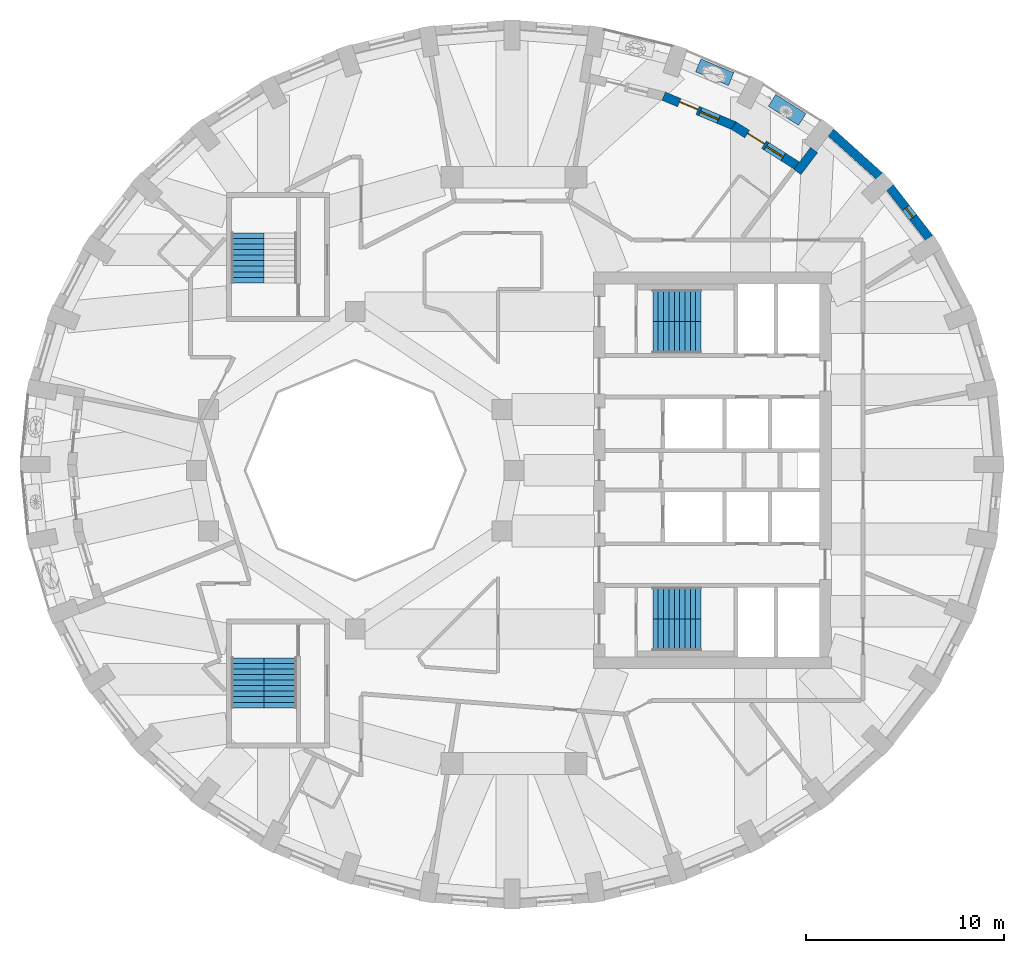
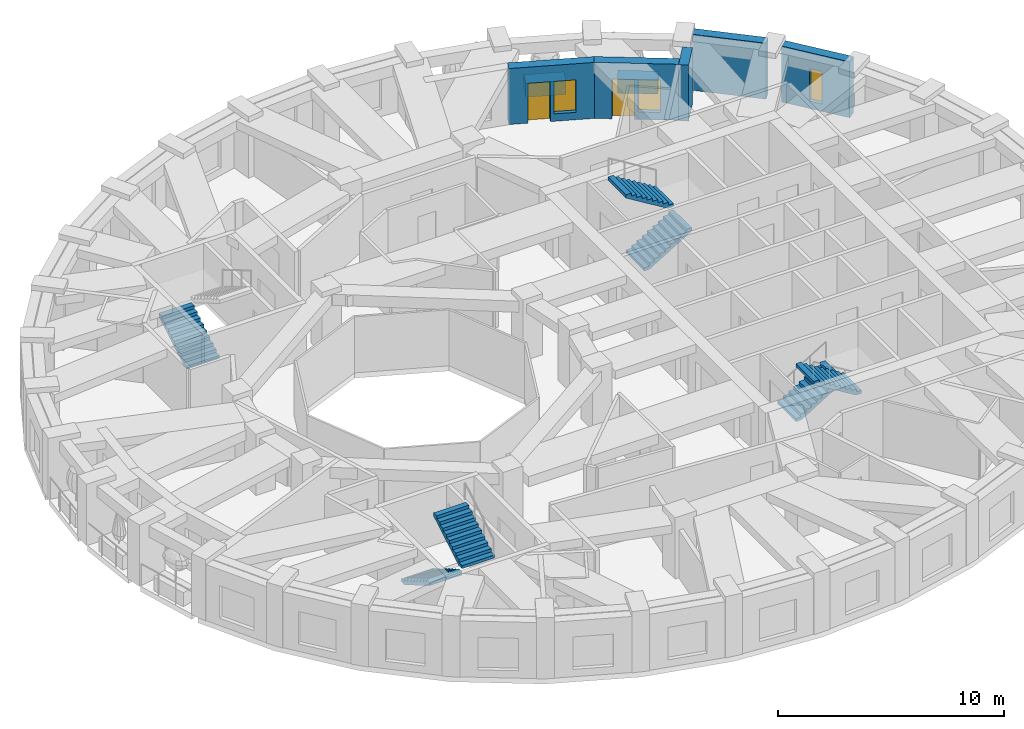
# One storey, part 8 of 12: 7 stair flights, 7 walls, 3 windows, 2 doors, 5 openings, 4 elements without a shape of their own.
"""IFC4 building model written with IfcOpenShell, lengths in metres."""

from ifc_helpers import new_model, si_unit, direction, frame, frame_2d, origin, place, context, subcontext, project, spatial, polyline, rectangle, outline, extrude, material, layer, layer_set, constituent, constituent_set, type_object, element, fill, aggregate, save


model = new_model("IFC4")

# Units and contexts
model_context = context("Model", 3, precision=1e-05, world=origin(), true_north=direction((0.0, 1.0)))
body_context = subcontext(model_context, "Body", "Model", "MODEL_VIEW")
ifc_project = project(units=[si_unit("LENGTHUNIT", "METRE"), si_unit("AREAUNIT", "SQUARE_METRE"), si_unit("VOLUMEUNIT", "CUBIC_METRE"), si_unit("PLANEANGLEUNIT", "RADIAN"), si_unit("MASSUNIT", "GRAM", prefix="KILO")], contexts=[model_context])

# Site, building, storey
site_placement = place(None, origin())
site = spatial("IfcSite", under=ifc_project, at=site_placement, CompositionType="ELEMENT")
building_placement = place(site_placement, origin())
building = spatial("IfcBuilding", under=site, at=building_placement, Name="Taillehof Tower", CompositionType="ELEMENT")
storey_placement = place(building_placement, frame((0.0, 0.0, 233.300048828125)))
storey = spatial("IfcBuildingStorey", under=building, at=storey_placement, Name="L66", CompositionType="ELEMENT", Elevation=233.300048828125)

# Wall, opening, window
ifc_material_1 = material(Name="Brick masonry", Category="masonry")
ifc_layer = layer(ifc_material_1, 0.449951171875)
ifc_layer_set = layer_set([ifc_layer], Name="Brick infill wall 450")
wall_type_1 = type_object("IfcWallType", Name="Brick infill wall 450", PredefinedType="SOLIDWALL", material=ifc_layer_set)
wall_1_placement = place(storey_placement, frame((20.93505859375, 11.70849609375, 0.0), z_axis=(0.0, 0.0, 1.0), x_axis=(-0.613862536705, 0.789412937587, 0.0)))
wall_1 = element("IfcWall", 1, at=wall_1_placement, inside=storey, type_object=wall_type_1, Name="Brick wall L66 bay 4", PredefinedType="SOLIDWALL", context=body_context, shape_type="SweptSolid", body=[
    extrude(rectangle(XDim=3.247314453125, YDim=0.449951171875, at=frame_2d((1.62353515625, 0.0))), origin(), (0.0, 0.0, 1.0), 3.02001953125),
])
opening_1_placement = place(wall_1_placement, frame((1.32373046875, 0.0, 0.39990234375)))
opening_1 = element("IfcOpeningElement", 2, at=opening_1_placement, cuts=wall_1, Name="Opening W6", PredefinedType="OPENING", context=body_context, shape_type="SweptSolid", body=[
    extrude(rectangle(XDim=0.60009765625, YDim=1.75, at=frame_2d((0.300048828125, 0.875))), frame((0.0, 0.23486328125, 0.0), z_axis=(0.0, -1.0, 0.0), x_axis=(1.0, 0.0, 0.0)), (0.0, 0.0, 1.0), 0.469970703125),
])
ifc_material_2 = material(Name="Aluminium window frame with clear double glazing", Category="aluminium")
window_type_1 = type_object("IfcWindowType", Name="Slot window 600x1750", PartitioningType="SINGLE_PANEL", PredefinedType="WINDOW", material=ifc_material_2)
window_1_placement = place(opening_1_placement, origin())
window_1 = element("IfcWindow", 3, at=window_1_placement, inside=storey, type_object=window_type_1, Name="W6", OverallHeight=1.75, OverallWidth=0.60009765625, PartitioningType="SINGLE_PANEL", PredefinedType="WINDOW", context=body_context, shape_type="SweptSolid", body=[
    extrude(rectangle(XDim=0.60009765625, YDim=1.75, at=frame_2d((0.300048828125, 0.875))), frame((0.0, 0.034912109375, 0.0), z_axis=(0.0, -1.0, 0.0), x_axis=(1.0, 0.0, 0.0)), (0.0, 0.0, 1.0), 0.06005859375),
])
fill(opening_1, window_1)

# Walls
wall_2_placement = place(storey_placement, frame((18.423828125, 14.828369140625, 0.0), z_axis=(0.0, 0.0, 1.0), x_axis=(-0.743166014219, 0.669107073128, 0.0)))
element("IfcWall", 4, at=wall_2_placement, inside=storey, type_object=wall_type_1, Name="Brick wall L66 bay 5", PredefinedType="SOLIDWALL", context=body_context, shape_type="SweptSolid", body=[
    extrude(rectangle(XDim=3.31640625, YDim=0.449951171875, at=frame_2d((1.658203125, 0.0))), origin(), (0.0, 0.0, 1.0), 3.02001953125),
])
wall_3_placement = place(storey_placement, frame((15.126953125, 16.144775390625, 0.0), z_axis=(0.0, 0.0, 1.0), x_axis=(-0.603952302908, -0.797020461351, 0.0)))
element("IfcWall", 5, at=wall_3_placement, inside=storey, type_object=wall_type_1, Name="Brick reveal L66 pocket 1", PredefinedType="SOLIDWALL", context=body_context, shape_type="SweptSolid", body=[
    extrude(rectangle(XDim=1.390869140625, YDim=0.449951171875, at=frame_2d((0.6953125, 0.0))), origin(), (0.0, 0.0, 1.0), 3.02001953125),
])

# Wall, openings, door, window
wall_4_placement = place(storey_placement, frame((14.255126953125, 15.36669921875, 0.0), z_axis=(0.0, 0.0, 1.0), x_axis=(-0.845183955488, 0.534475519912, 0.0)))
wall_4 = element("IfcWall", 6, at=wall_4_placement, inside=storey, type_object=wall_type_1, Name="Brick wall L66 pocket bay 6", PredefinedType="SOLIDWALL", context=body_context, shape_type="SweptSolid", body=[
    extrude(rectangle(XDim=3.7685546875, YDim=0.449951171875, at=frame_2d((1.88427734375, 0.0))), origin(), (0.0, 0.0, 1.0), 3.02001953125),
])
opening_2_placement = place(wall_4_placement, frame((0.809326171875, 0.0, 0.39990234375)))
opening_2 = element("IfcOpeningElement", 7, at=opening_2_placement, cuts=wall_4, Name="Opening W5", PredefinedType="OPENING", context=body_context, shape_type="SweptSolid", body=[
    extrude(rectangle(XDim=1.0, YDim=1.75, at=frame_2d((0.5, 0.875))), frame((0.0, 0.23486328125, 0.0), z_axis=(0.0, -1.0, 0.0), x_axis=(1.0, 0.0, 0.0)), (0.0, 0.0, 1.0), 0.469970703125),
])
opening_3_placement = place(wall_4_placement, frame((1.959228515625, 0.0, 0.0)))
opening_3 = element("IfcOpeningElement", 8, at=opening_3_placement, cuts=wall_4, Name="Opening D6694", PredefinedType="OPENING", context=body_context, shape_type="SweptSolid", body=[
    extrude(rectangle(XDim=1.0, YDim=2.14990234375, at=frame_2d((0.5, 1.074951171875))), frame((0.0, 0.23486328125, 0.0), z_axis=(0.0, -1.0, 0.0), x_axis=(1.0, 0.0, 0.0)), (0.0, 0.0, 1.0), 0.469970703125),
])
ifc_material_3 = material(Name="Aluminium door frame with clear double glazing", Category="aluminium")
door_type = type_object("IfcDoorType", Name="Balcony door 1000x2150", OperationType="SINGLE_SWING_RIGHT", PredefinedType="DOOR", material=ifc_material_3)
door_1_placement = place(opening_3_placement, frame((1.0, 0.0, 0.0), z_axis=(0.0, 0.0, 1.0), x_axis=(-1.0, 0.0, 0.0)))
door_1 = element("IfcDoor", 9, at=door_1_placement, inside=storey, type_object=door_type, Name="Balcony door L66 bay 6", OperationType="SINGLE_SWING_RIGHT", OverallHeight=2.14990234375, OverallWidth=1.0, PredefinedType="DOOR", context=body_context, shape_type="SweptSolid", body=[
    extrude(rectangle(XDim=1.0, YDim=2.14990234375, at=frame_2d((0.5, 1.074951171875))), frame((0.0, 0.0751953125, 0.0), z_axis=(0.0, -1.0, 0.0), x_axis=(1.0, 0.0, 0.0)), (0.0, 0.0, 1.0), 0.050048828125),
])
fill(opening_3, door_1)
ifc_material_4 = material(Name="Aluminium window frame with clear double glazing", Category="aluminium")
window_type_2 = type_object("IfcWindowType", Name="Fixed window 1000x1750", PartitioningType="SINGLE_PANEL", PredefinedType="WINDOW", material=ifc_material_4)
window_2_placement = place(opening_2_placement, origin())
window_2 = element("IfcWindow", 10, at=window_2_placement, inside=storey, type_object=window_type_2, Name="W5", OverallHeight=1.75, OverallWidth=1.0, PartitioningType="SINGLE_PANEL", PredefinedType="WINDOW", context=body_context, shape_type="SweptSolid", body=[
    extrude(rectangle(XDim=1.0, YDim=1.75, at=frame_2d((0.5, 0.875))), frame((0.0, 0.034912109375, 0.0), z_axis=(0.0, -1.0, 0.0), x_axis=(1.0, 0.0, 0.0)), (0.0, 0.0, 1.0), 0.06005859375),
])
fill(opening_2, window_2)

wall_5_placement = place(storey_placement, frame((11.10302734375, 17.363525390625, 0.0), z_axis=(0.0, 0.0, 1.0), x_axis=(-0.921612755574, 0.388110717145, 0.0)))
wall_5 = element("IfcWall", 11, at=wall_5_placement, inside=storey, type_object=wall_type_1, Name="Brick wall L66 pocket bay 7", PredefinedType="SOLIDWALL", context=body_context, shape_type="SweptSolid", body=[
    extrude(rectangle(XDim=3.8603515625, YDim=0.449951171875, at=frame_2d((1.93017578125, 0.0))), origin(), (0.0, 0.0, 1.0), 3.02001953125),
])
opening_4_placement = place(wall_5_placement, frame((0.855224609375, 0.0, 0.39990234375)))
opening_4 = element("IfcOpeningElement", 12, at=opening_4_placement, cuts=wall_5, Name="Opening W5", PredefinedType="OPENING", context=body_context, shape_type="SweptSolid", body=[
    extrude(rectangle(XDim=1.0, YDim=1.75, at=frame_2d((0.5, 0.875))), frame((0.0, 0.23486328125, 0.0), z_axis=(0.0, -1.0, 0.0), x_axis=(1.0, 0.0, 0.0)), (0.0, 0.0, 1.0), 0.469970703125),
])
opening_5_placement = place(wall_5_placement, frame((2.005126953125, 0.0, 0.0)))
opening_5 = element("IfcOpeningElement", 13, at=opening_5_placement, cuts=wall_5, Name="Opening D6695", PredefinedType="OPENING", context=body_context, shape_type="SweptSolid", body=[
    extrude(rectangle(XDim=1.0, YDim=2.14990234375, at=frame_2d((0.5, 1.074951171875))), frame((0.0, 0.23486328125, 0.0), z_axis=(0.0, -1.0, 0.0), x_axis=(1.0, 0.0, 0.0)), (0.0, 0.0, 1.0), 0.469970703125),
])
door_2_placement = place(opening_5_placement, frame((1.0, 0.0, 0.0), z_axis=(0.0, 0.0, 1.0), x_axis=(-1.0, 0.0, 0.0)))
door_2 = element("IfcDoor", 14, at=door_2_placement, inside=storey, type_object=door_type, Name="Balcony door L66 bay 7", OperationType="SINGLE_SWING_LEFT", OverallHeight=2.14990234375, OverallWidth=1.0, PredefinedType="DOOR", context=body_context, shape_type="SweptSolid", body=[
    extrude(rectangle(XDim=1.0, YDim=2.14990234375, at=frame_2d((0.5, 1.074951171875))), frame((0.0, 0.0751953125, 0.0), z_axis=(0.0, -1.0, 0.0), x_axis=(1.0, 0.0, 0.0)), (0.0, 0.0, 1.0), 0.050048828125),
])
fill(opening_5, door_2)
window_3_placement = place(opening_4_placement, origin())
window_3 = element("IfcWindow", 15, at=window_3_placement, inside=storey, type_object=window_type_2, Name="W5", OverallHeight=1.75, OverallWidth=1.0, PartitioningType="SINGLE_PANEL", PredefinedType="WINDOW", context=body_context, shape_type="SweptSolid", body=[
    extrude(rectangle(XDim=1.0, YDim=1.75, at=frame_2d((0.5, 0.875))), frame((0.0, 0.034912109375, 0.0), z_axis=(0.0, -1.0, 0.0), x_axis=(1.0, 0.0, 0.0)), (0.0, 0.0, 1.0), 0.06005859375),
])
fill(opening_4, window_3)

# Walls
ifc_material_5 = material(Name="Concrete C30/37 precast", Category="concrete")
ifc_constituent_1 = constituent(ifc_material_5, Name="Structure", Category="concrete")
ifc_material_6 = material(Name="Insulated lining")
ifc_constituent_2 = constituent(ifc_material_6, Name="Lining")
ifc_constituent_set = constituent_set(constituents=[ifc_constituent_1, ifc_constituent_2], Name="Planter trough 700x750")
wall_type_2 = type_object("IfcWallType", Name="Planter trough 700x750", PredefinedType="USERDEFINED", material=ifc_constituent_set)
wall_6_placement = place(storey_placement, frame((14.531005859375, 17.687255859375, 0.0), z_axis=(0.0, 0.0, 1.0), x_axis=(-0.845888351787, 0.533360006291, 0.0)))
element("IfcWall", 16, at=wall_6_placement, inside=storey, type_object=wall_type_2, Name="Planter L66 bay 6", ObjectType="PLANTER", PredefinedType="USERDEFINED", context=body_context, shape_type="SweptSolid", body=[
    extrude(rectangle(XDim=1.7998046875, YDim=0.699951171875, at=frame_2d((0.89990234375, 0.0))), origin(), (0.0, 0.0, 1.0), 0.75),
])
wall_7_placement = place(storey_placement, frame((10.947998046875, 19.717041015625, 0.0), z_axis=(0.0, 0.0, 1.0), x_axis=(-0.922038267928, 0.387098737374, 0.0)))
element("IfcWall", 17, at=wall_7_placement, inside=storey, type_object=wall_type_2, Name="Planter L66 bay 7", ObjectType="PLANTER", PredefinedType="USERDEFINED", context=body_context, shape_type="SweptSolid", body=[
    extrude(rectangle(XDim=1.800048828125, YDim=0.699951171875, at=frame_2d((0.89990234375, 0.0))), origin(), (0.0, 0.0, 1.0), 0.75),
])

# Stair, stair flights
ifc_material_7 = material(Name="Concrete C40/50", Category="concrete")
stair_type = type_object("IfcStairType", Name="Exit stair half-turn", PredefinedType="HALF_TURN_STAIR", material=ifc_material_7)
stair_1_placement = place(storey_placement, origin())
stair_1 = element("IfcStair", 18, at=stair_1_placement, inside=storey, type_object=stair_type, Name="Exit stair S1", PredefinedType="HALF_TURN_STAIR")
ifc_material_8 = material(Name="Concrete C40/50", Category="concrete")
stair_flight_type_1 = type_object("IfcStairFlightType", Name="Stair flight 1600 riser 165.0 going 270", PredefinedType="STRAIGHT", material=ifc_material_8)
stair_flight_1_placement = place(storey_placement, frame((7.0, 6.699951171875, 0.0), z_axis=(0.0, 0.0, 1.0), x_axis=(1.0, 0.0, 0.0)))
stair_flight_1 = element("IfcStairFlight", 19, at=stair_flight_1_placement, type_object=stair_flight_type_1, Name="S1 flight 1", NumberOfRisers=10, NumberOfTreads=9, PredefinedType="STRAIGHT", RiserHeight=0.165, TreadLength=0.27, context=body_context, shape_type="SweptSolid", body=[
    extrude(outline(polyline([(0.0, 0.0), (0.0, 0.00537109375), (0.0, 0.0107421875), (0.0, 0.015869140625), (0.0, 0.021240234375), (0.0, 0.026611328125), (0.0, 0.031982421875), (0.0, 0.037353515625), (0.0, 0.04248046875), (0.0, 0.0478515625), (0.0, 0.05322265625), (0.0, 0.05859375), (0.0, 0.06396484375), (0.0, 0.069091796875), (0.0, 0.074462890625), (0.0, 0.079833984375), (0.0, 0.085205078125), (0.0, 0.090576171875), (0.0, 0.095703125), (0.0, 0.10107421875), (0.0, 0.1064453125), (0.0, 0.11181640625), (0.0, 0.1171875), (0.0, 0.122314453125), (0.0, 0.127685546875), (0.0, 0.133056640625), (0.0, 0.138427734375), (0.0, 0.143798828125), (0.0, 0.14892578125), (0.0, 0.154296875), (0.0, 0.15966796875), (0.0, 0.1650390625), (0.27001953125, 0.1650390625), (0.27001953125, 0.330078125), (0.5400390625, 0.330078125), (0.5400390625, 0.4951171875), (0.81005859375, 0.4951171875), (0.81005859375, 0.659912109375), (1.080078125, 0.659912109375), (1.080078125, 0.824951171875), (1.35009765625, 0.824951171875), (1.35009765625, 0.989990234375), (1.6201171875, 0.989990234375), (1.6201171875, 1.155029296875), (1.889892578125, 1.155029296875), (1.889892578125, 1.320068359375), (2.159912109375, 1.320068359375), (2.159912109375, 1.485107421875), (2.429931640625, 1.485107421875), (2.429931640625, 1.479248046875), (2.429931640625, 1.4736328125), (2.429931640625, 1.468017578125), (2.429931640625, 1.46240234375), (2.429931640625, 1.45654296875), (2.429931640625, 1.450927734375), (2.429931640625, 1.4453125), (2.429931640625, 1.439697265625), (2.429931640625, 1.43408203125), (2.429931640625, 1.42822265625), (2.429931640625, 1.422607421875), (2.429931640625, 1.4169921875), (2.429931640625, 1.411376953125), (2.429931640625, 1.40576171875), (2.429931640625, 1.39990234375), (2.429931640625, 1.394287109375), (2.429931640625, 1.388671875), (2.429931640625, 1.383056640625), (2.429931640625, 1.37744140625), (2.429931640625, 1.37158203125), (2.429931640625, 1.365966796875), (2.429931640625, 1.3603515625), (2.429931640625, 1.354736328125), (2.429931640625, 1.348876953125), (2.429931640625, 1.34326171875), (2.429931640625, 1.337646484375), (2.429931640625, 1.33203125), (2.429931640625, 1.326416015625), (2.429931640625, 1.320556640625), (2.429931640625, 1.31494140625), (2.429931640625, 1.309326171875), (0.287353515625, 0.0), (0.0, 0.0)])), frame((0.0, 0.800048828125, 0.0), z_axis=(0.0, -1.0, 0.0), x_axis=(1.0, 0.0, 0.0)), (0.0, 0.0, 1.0), 1.6),
])
stair_flight_2_placement = place(storey_placement, frame((9.429931640625, 8.300048828125, 1.64990234375), z_axis=(0.0, 0.0, 1.0), x_axis=(-1.0, 0.0, 0.0)))
stair_flight_2 = element("IfcStairFlight", 20, at=stair_flight_2_placement, type_object=stair_flight_type_1, Name="S1 flight 2", NumberOfRisers=10, NumberOfTreads=9, PredefinedType="STRAIGHT", RiserHeight=0.165, TreadLength=0.27, context=body_context, shape_type="SweptSolid", body=[
    extrude(outline(polyline([(0.0, 0.0), (0.0, 0.00537109375), (0.0, 0.0107421875), (0.0, 0.015869140625), (0.0, 0.021240234375), (0.0, 0.026611328125), (0.0, 0.031982421875), (0.0, 0.037353515625), (0.0, 0.04248046875), (0.0, 0.0478515625), (0.0, 0.05322265625), (0.0, 0.05859375), (0.0, 0.06396484375), (0.0, 0.069091796875), (0.0, 0.074462890625), (0.0, 0.079833984375), (0.0, 0.085205078125), (0.0, 0.090576171875), (0.0, 0.095703125), (0.0, 0.10107421875), (0.0, 0.1064453125), (0.0, 0.11181640625), (0.0, 0.1171875), (0.0, 0.122314453125), (0.0, 0.127685546875), (0.0, 0.133056640625), (0.0, 0.138427734375), (0.0, 0.143798828125), (0.0, 0.14892578125), (0.0, 0.154296875), (0.0, 0.15966796875), (0.0, 0.1650390625), (0.27001953125, 0.1650390625), (0.27001953125, 0.330078125), (0.5400390625, 0.330078125), (0.5400390625, 0.4951171875), (0.81005859375, 0.4951171875), (0.81005859375, 0.659912109375), (1.080078125, 0.659912109375), (1.080078125, 0.824951171875), (1.35009765625, 0.824951171875), (1.35009765625, 0.989990234375), (1.6201171875, 0.989990234375), (1.6201171875, 1.155029296875), (1.889892578125, 1.155029296875), (1.889892578125, 1.320068359375), (2.159912109375, 1.320068359375), (2.159912109375, 1.485107421875), (2.429931640625, 1.485107421875), (2.429931640625, 1.479248046875), (2.429931640625, 1.4736328125), (2.429931640625, 1.468017578125), (2.429931640625, 1.46240234375), (2.429931640625, 1.45654296875), (2.429931640625, 1.450927734375), (2.429931640625, 1.4453125), (2.429931640625, 1.439697265625), (2.429931640625, 1.43408203125), (2.429931640625, 1.42822265625), (2.429931640625, 1.422607421875), (2.429931640625, 1.4169921875), (2.429931640625, 1.411376953125), (2.429931640625, 1.40576171875), (2.429931640625, 1.39990234375), (2.429931640625, 1.394287109375), (2.429931640625, 1.388671875), (2.429931640625, 1.383056640625), (2.429931640625, 1.37744140625), (2.429931640625, 1.37158203125), (2.429931640625, 1.365966796875), (2.429931640625, 1.3603515625), (2.429931640625, 1.354736328125), (2.429931640625, 1.348876953125), (2.429931640625, 1.34326171875), (2.429931640625, 1.337646484375), (2.429931640625, 1.33203125), (2.429931640625, 1.326416015625), (2.429931640625, 1.320556640625), (2.429931640625, 1.31494140625), (2.429931640625, 1.309326171875), (0.287353515625, 0.0), (0.0, 0.0)])), frame((0.0, 0.800048828125, 0.0), z_axis=(0.0, -1.0, 0.0), x_axis=(1.0, 0.0, 0.0)), (0.0, 0.0, 1.0), 1.6),
])
aggregate(stair_1, [stair_flight_1, stair_flight_2])

stair_2_placement = place(storey_placement, origin())
stair_2 = element("IfcStair", 21, at=stair_2_placement, inside=storey, type_object=stair_type, Name="Exit stair S2", PredefinedType="HALF_TURN_STAIR")
stair_flight_3_placement = place(storey_placement, frame((7.0, -6.699951171875, 0.0), z_axis=(0.0, 0.0, 1.0), x_axis=(1.0, 0.0, 0.0)))
stair_flight_3 = element("IfcStairFlight", 22, at=stair_flight_3_placement, type_object=stair_flight_type_1, Name="S2 flight 1", NumberOfRisers=10, NumberOfTreads=9, PredefinedType="STRAIGHT", RiserHeight=0.165, TreadLength=0.27, context=body_context, shape_type="SweptSolid", body=[
    extrude(outline(polyline([(0.0, 0.0), (0.0, 0.00537109375), (0.0, 0.0107421875), (0.0, 0.015869140625), (0.0, 0.021240234375), (0.0, 0.026611328125), (0.0, 0.031982421875), (0.0, 0.037353515625), (0.0, 0.04248046875), (0.0, 0.0478515625), (0.0, 0.05322265625), (0.0, 0.05859375), (0.0, 0.06396484375), (0.0, 0.069091796875), (0.0, 0.074462890625), (0.0, 0.079833984375), (0.0, 0.085205078125), (0.0, 0.090576171875), (0.0, 0.095703125), (0.0, 0.10107421875), (0.0, 0.1064453125), (0.0, 0.11181640625), (0.0, 0.1171875), (0.0, 0.122314453125), (0.0, 0.127685546875), (0.0, 0.133056640625), (0.0, 0.138427734375), (0.0, 0.143798828125), (0.0, 0.14892578125), (0.0, 0.154296875), (0.0, 0.15966796875), (0.0, 0.1650390625), (0.27001953125, 0.1650390625), (0.27001953125, 0.330078125), (0.5400390625, 0.330078125), (0.5400390625, 0.4951171875), (0.81005859375, 0.4951171875), (0.81005859375, 0.659912109375), (1.080078125, 0.659912109375), (1.080078125, 0.824951171875), (1.35009765625, 0.824951171875), (1.35009765625, 0.989990234375), (1.6201171875, 0.989990234375), (1.6201171875, 1.155029296875), (1.889892578125, 1.155029296875), (1.889892578125, 1.320068359375), (2.159912109375, 1.320068359375), (2.159912109375, 1.485107421875), (2.429931640625, 1.485107421875), (2.429931640625, 1.479248046875), (2.429931640625, 1.4736328125), (2.429931640625, 1.468017578125), (2.429931640625, 1.46240234375), (2.429931640625, 1.45654296875), (2.429931640625, 1.450927734375), (2.429931640625, 1.4453125), (2.429931640625, 1.439697265625), (2.429931640625, 1.43408203125), (2.429931640625, 1.42822265625), (2.429931640625, 1.422607421875), (2.429931640625, 1.4169921875), (2.429931640625, 1.411376953125), (2.429931640625, 1.40576171875), (2.429931640625, 1.39990234375), (2.429931640625, 1.394287109375), (2.429931640625, 1.388671875), (2.429931640625, 1.383056640625), (2.429931640625, 1.37744140625), (2.429931640625, 1.37158203125), (2.429931640625, 1.365966796875), (2.429931640625, 1.3603515625), (2.429931640625, 1.354736328125), (2.429931640625, 1.348876953125), (2.429931640625, 1.34326171875), (2.429931640625, 1.337646484375), (2.429931640625, 1.33203125), (2.429931640625, 1.326416015625), (2.429931640625, 1.320556640625), (2.429931640625, 1.31494140625), (2.429931640625, 1.309326171875), (0.287353515625, 0.0), (0.0, 0.0)])), frame((0.0, 0.800048828125, 0.0), z_axis=(0.0, -1.0, 0.0), x_axis=(1.0, 0.0, 0.0)), (0.0, 0.0, 1.0), 1.6),
])
stair_flight_4_placement = place(storey_placement, frame((9.429931640625, -8.300048828125, 1.64990234375), z_axis=(0.0, 0.0, 1.0), x_axis=(-1.0, 0.0, 0.0)))
stair_flight_4 = element("IfcStairFlight", 23, at=stair_flight_4_placement, type_object=stair_flight_type_1, Name="S2 flight 2", NumberOfRisers=10, NumberOfTreads=9, PredefinedType="STRAIGHT", RiserHeight=0.165, TreadLength=0.27, context=body_context, shape_type="SweptSolid", body=[
    extrude(outline(polyline([(0.0, 0.0), (0.0, 0.00537109375), (0.0, 0.0107421875), (0.0, 0.015869140625), (0.0, 0.021240234375), (0.0, 0.026611328125), (0.0, 0.031982421875), (0.0, 0.037353515625), (0.0, 0.04248046875), (0.0, 0.0478515625), (0.0, 0.05322265625), (0.0, 0.05859375), (0.0, 0.06396484375), (0.0, 0.069091796875), (0.0, 0.074462890625), (0.0, 0.079833984375), (0.0, 0.085205078125), (0.0, 0.090576171875), (0.0, 0.095703125), (0.0, 0.10107421875), (0.0, 0.1064453125), (0.0, 0.11181640625), (0.0, 0.1171875), (0.0, 0.122314453125), (0.0, 0.127685546875), (0.0, 0.133056640625), (0.0, 0.138427734375), (0.0, 0.143798828125), (0.0, 0.14892578125), (0.0, 0.154296875), (0.0, 0.15966796875), (0.0, 0.1650390625), (0.27001953125, 0.1650390625), (0.27001953125, 0.330078125), (0.5400390625, 0.330078125), (0.5400390625, 0.4951171875), (0.81005859375, 0.4951171875), (0.81005859375, 0.659912109375), (1.080078125, 0.659912109375), (1.080078125, 0.824951171875), (1.35009765625, 0.824951171875), (1.35009765625, 0.989990234375), (1.6201171875, 0.989990234375), (1.6201171875, 1.155029296875), (1.889892578125, 1.155029296875), (1.889892578125, 1.320068359375), (2.159912109375, 1.320068359375), (2.159912109375, 1.485107421875), (2.429931640625, 1.485107421875), (2.429931640625, 1.479248046875), (2.429931640625, 1.4736328125), (2.429931640625, 1.468017578125), (2.429931640625, 1.46240234375), (2.429931640625, 1.45654296875), (2.429931640625, 1.450927734375), (2.429931640625, 1.4453125), (2.429931640625, 1.439697265625), (2.429931640625, 1.43408203125), (2.429931640625, 1.42822265625), (2.429931640625, 1.422607421875), (2.429931640625, 1.4169921875), (2.429931640625, 1.411376953125), (2.429931640625, 1.40576171875), (2.429931640625, 1.39990234375), (2.429931640625, 1.394287109375), (2.429931640625, 1.388671875), (2.429931640625, 1.383056640625), (2.429931640625, 1.37744140625), (2.429931640625, 1.37158203125), (2.429931640625, 1.365966796875), (2.429931640625, 1.3603515625), (2.429931640625, 1.354736328125), (2.429931640625, 1.348876953125), (2.429931640625, 1.34326171875), (2.429931640625, 1.337646484375), (2.429931640625, 1.33203125), (2.429931640625, 1.326416015625), (2.429931640625, 1.320556640625), (2.429931640625, 1.31494140625), (2.429931640625, 1.309326171875), (0.287353515625, 0.0), (0.0, 0.0)])), frame((0.0, 0.800048828125, 0.0), z_axis=(0.0, -1.0, 0.0), x_axis=(1.0, 0.0, 0.0)), (0.0, 0.0, 1.0), 1.6),
])
aggregate(stair_2, [stair_flight_3, stair_flight_4])

# Stair, stair flight
stair_3_placement = place(storey_placement, origin())
stair_3 = element("IfcStair", 24, at=stair_3_placement, inside=storey, type_object=stair_type, Name="Exit stair S3", PredefinedType="HALF_TURN_STAIR")
ifc_material_9 = material(Name="Concrete C40/50", Category="concrete")
stair_flight_type_2 = type_object("IfcStairFlightType", Name="Stair flight 1650 riser 165.0 going 280", PredefinedType="STRAIGHT", material=ifc_material_9)
stair_flight_5_placement = place(storey_placement, frame((-13.425048828125, 9.449951171875, 0.0), z_axis=(0.0, 0.0, 1.0), x_axis=(0.0, 1.0, 0.0)))
stair_flight_5 = element("IfcStairFlight", 25, at=stair_flight_5_placement, type_object=stair_flight_type_2, Name="S3 flight 1", NumberOfRisers=10, NumberOfTreads=9, PredefinedType="STRAIGHT", RiserHeight=0.165, TreadLength=0.28, context=body_context, shape_type="SweptSolid", body=[
    extrude(outline(polyline([(0.0, 0.0), (0.0, 0.00537109375), (0.0, 0.0107421875), (0.0, 0.015869140625), (0.0, 0.021240234375), (0.0, 0.026611328125), (0.0, 0.031982421875), (0.0, 0.037353515625), (0.0, 0.04248046875), (0.0, 0.0478515625), (0.0, 0.05322265625), (0.0, 0.05859375), (0.0, 0.06396484375), (0.0, 0.069091796875), (0.0, 0.074462890625), (0.0, 0.079833984375), (0.0, 0.085205078125), (0.0, 0.090576171875), (0.0, 0.095703125), (0.0, 0.10107421875), (0.0, 0.1064453125), (0.0, 0.11181640625), (0.0, 0.1171875), (0.0, 0.122314453125), (0.0, 0.127685546875), (0.0, 0.133056640625), (0.0, 0.138427734375), (0.0, 0.143798828125), (0.0, 0.14892578125), (0.0, 0.154296875), (0.0, 0.15966796875), (0.0, 0.1650390625), (0.280029296875, 0.1650390625), (0.280029296875, 0.330078125), (0.56005859375, 0.330078125), (0.56005859375, 0.4951171875), (0.840087890625, 0.4951171875), (0.840087890625, 0.659912109375), (1.1201171875, 0.659912109375), (1.1201171875, 0.824951171875), (1.39990234375, 0.824951171875), (1.39990234375, 0.989990234375), (1.679931640625, 0.989990234375), (1.679931640625, 1.155029296875), (1.9599609375, 1.155029296875), (1.9599609375, 1.320068359375), (2.239990234375, 1.320068359375), (2.239990234375, 1.485107421875), (2.52001953125, 1.485107421875), (2.52001953125, 1.4794921875), (2.52001953125, 1.473876953125), (2.52001953125, 1.46826171875), (2.52001953125, 1.462646484375), (2.52001953125, 1.45703125), (2.52001953125, 1.451416015625), (2.52001953125, 1.44580078125), (2.52001953125, 1.440185546875), (2.52001953125, 1.4345703125), (2.52001953125, 1.428955078125), (2.52001953125, 1.42333984375), (2.52001953125, 1.417724609375), (2.52001953125, 1.412109375), (2.52001953125, 1.406494140625), (2.52001953125, 1.40087890625), (2.52001953125, 1.395263671875), (2.52001953125, 1.3896484375), (2.52001953125, 1.384033203125), (2.52001953125, 1.37841796875), (2.52001953125, 1.372802734375), (2.52001953125, 1.3671875), (2.52001953125, 1.361572265625), (2.52001953125, 1.35595703125), (2.52001953125, 1.350341796875), (2.52001953125, 1.3447265625), (2.52001953125, 1.339111328125), (2.52001953125, 1.33349609375), (2.52001953125, 1.327880859375), (2.52001953125, 1.322265625), (2.52001953125, 1.316650390625), (2.52001953125, 1.31103515625), (0.295166015625, 0.0), (0.0, 0.0)])), frame((0.0, 0.824951171875, 0.0), z_axis=(0.0, -1.0, 0.0), x_axis=(1.0, 0.0, 0.0)), (0.0, 0.0, 1.0), 1.65),
])
aggregate(stair_3, [stair_flight_5])

# Stair, stair flights
stair_4_placement = place(storey_placement, origin())
stair_4 = element("IfcStair", 26, at=stair_4_placement, inside=storey, type_object=stair_type, Name="Exit stair S4", PredefinedType="HALF_TURN_STAIR")
stair_flight_6_placement = place(storey_placement, frame((-13.425048828125, -9.449951171875, 0.0), z_axis=(0.0, 0.0, 1.0), x_axis=(0.0, -1.0, 0.0)))
stair_flight_6 = element("IfcStairFlight", 27, at=stair_flight_6_placement, type_object=stair_flight_type_2, Name="S4 flight 1", NumberOfRisers=10, NumberOfTreads=9, PredefinedType="STRAIGHT", RiserHeight=0.165, TreadLength=0.28, context=body_context, shape_type="SweptSolid", body=[
    extrude(outline(polyline([(0.0, 0.0), (0.0, 0.00537109375), (0.0, 0.0107421875), (0.0, 0.015869140625), (0.0, 0.021240234375), (0.0, 0.026611328125), (0.0, 0.031982421875), (0.0, 0.037353515625), (0.0, 0.04248046875), (0.0, 0.0478515625), (0.0, 0.05322265625), (0.0, 0.05859375), (0.0, 0.06396484375), (0.0, 0.069091796875), (0.0, 0.074462890625), (0.0, 0.079833984375), (0.0, 0.085205078125), (0.0, 0.090576171875), (0.0, 0.095703125), (0.0, 0.10107421875), (0.0, 0.1064453125), (0.0, 0.11181640625), (0.0, 0.1171875), (0.0, 0.122314453125), (0.0, 0.127685546875), (0.0, 0.133056640625), (0.0, 0.138427734375), (0.0, 0.143798828125), (0.0, 0.14892578125), (0.0, 0.154296875), (0.0, 0.15966796875), (0.0, 0.1650390625), (0.280029296875, 0.1650390625), (0.280029296875, 0.330078125), (0.56005859375, 0.330078125), (0.56005859375, 0.4951171875), (0.840087890625, 0.4951171875), (0.840087890625, 0.659912109375), (1.1201171875, 0.659912109375), (1.1201171875, 0.824951171875), (1.39990234375, 0.824951171875), (1.39990234375, 0.989990234375), (1.679931640625, 0.989990234375), (1.679931640625, 1.155029296875), (1.9599609375, 1.155029296875), (1.9599609375, 1.320068359375), (2.239990234375, 1.320068359375), (2.239990234375, 1.485107421875), (2.52001953125, 1.485107421875), (2.52001953125, 1.4794921875), (2.52001953125, 1.473876953125), (2.52001953125, 1.46826171875), (2.52001953125, 1.462646484375), (2.52001953125, 1.45703125), (2.52001953125, 1.451416015625), (2.52001953125, 1.44580078125), (2.52001953125, 1.440185546875), (2.52001953125, 1.4345703125), (2.52001953125, 1.428955078125), (2.52001953125, 1.42333984375), (2.52001953125, 1.417724609375), (2.52001953125, 1.412109375), (2.52001953125, 1.406494140625), (2.52001953125, 1.40087890625), (2.52001953125, 1.395263671875), (2.52001953125, 1.3896484375), (2.52001953125, 1.384033203125), (2.52001953125, 1.37841796875), (2.52001953125, 1.372802734375), (2.52001953125, 1.3671875), (2.52001953125, 1.361572265625), (2.52001953125, 1.35595703125), (2.52001953125, 1.350341796875), (2.52001953125, 1.3447265625), (2.52001953125, 1.339111328125), (2.52001953125, 1.33349609375), (2.52001953125, 1.327880859375), (2.52001953125, 1.322265625), (2.52001953125, 1.316650390625), (2.52001953125, 1.31103515625), (0.295166015625, 0.0), (0.0, 0.0)])), frame((0.0, 0.824951171875, 0.0), z_axis=(0.0, -1.0, 0.0), x_axis=(1.0, 0.0, 0.0)), (0.0, 0.0, 1.0), 1.65),
])
stair_flight_7_placement = place(storey_placement, frame((-11.77490234375, -11.969970703125, 1.64990234375), z_axis=(0.0, 0.0, 1.0), x_axis=(0.0, 1.0, 0.0)))
stair_flight_7 = element("IfcStairFlight", 28, at=stair_flight_7_placement, type_object=stair_flight_type_2, Name="S4 flight 2", NumberOfRisers=10, NumberOfTreads=9, PredefinedType="STRAIGHT", RiserHeight=0.165, TreadLength=0.28, context=body_context, shape_type="SweptSolid", body=[
    extrude(outline(polyline([(0.0, 0.0), (0.0, 0.00537109375), (0.0, 0.0107421875), (0.0, 0.015869140625), (0.0, 0.021240234375), (0.0, 0.026611328125), (0.0, 0.031982421875), (0.0, 0.037353515625), (0.0, 0.04248046875), (0.0, 0.0478515625), (0.0, 0.05322265625), (0.0, 0.05859375), (0.0, 0.06396484375), (0.0, 0.069091796875), (0.0, 0.074462890625), (0.0, 0.079833984375), (0.0, 0.085205078125), (0.0, 0.090576171875), (0.0, 0.095703125), (0.0, 0.10107421875), (0.0, 0.1064453125), (0.0, 0.11181640625), (0.0, 0.1171875), (0.0, 0.122314453125), (0.0, 0.127685546875), (0.0, 0.133056640625), (0.0, 0.138427734375), (0.0, 0.143798828125), (0.0, 0.14892578125), (0.0, 0.154296875), (0.0, 0.15966796875), (0.0, 0.1650390625), (0.280029296875, 0.1650390625), (0.280029296875, 0.330078125), (0.56005859375, 0.330078125), (0.56005859375, 0.4951171875), (0.840087890625, 0.4951171875), (0.840087890625, 0.659912109375), (1.1201171875, 0.659912109375), (1.1201171875, 0.824951171875), (1.39990234375, 0.824951171875), (1.39990234375, 0.989990234375), (1.679931640625, 0.989990234375), (1.679931640625, 1.155029296875), (1.9599609375, 1.155029296875), (1.9599609375, 1.320068359375), (2.239990234375, 1.320068359375), (2.239990234375, 1.485107421875), (2.52001953125, 1.485107421875), (2.52001953125, 1.4794921875), (2.52001953125, 1.473876953125), (2.52001953125, 1.46826171875), (2.52001953125, 1.462646484375), (2.52001953125, 1.45703125), (2.52001953125, 1.451416015625), (2.52001953125, 1.44580078125), (2.52001953125, 1.440185546875), (2.52001953125, 1.4345703125), (2.52001953125, 1.428955078125), (2.52001953125, 1.42333984375), (2.52001953125, 1.417724609375), (2.52001953125, 1.412109375), (2.52001953125, 1.406494140625), (2.52001953125, 1.40087890625), (2.52001953125, 1.395263671875), (2.52001953125, 1.3896484375), (2.52001953125, 1.384033203125), (2.52001953125, 1.37841796875), (2.52001953125, 1.372802734375), (2.52001953125, 1.3671875), (2.52001953125, 1.361572265625), (2.52001953125, 1.35595703125), (2.52001953125, 1.350341796875), (2.52001953125, 1.3447265625), (2.52001953125, 1.339111328125), (2.52001953125, 1.33349609375), (2.52001953125, 1.327880859375), (2.52001953125, 1.322265625), (2.52001953125, 1.316650390625), (2.52001953125, 1.31103515625), (0.295166015625, 0.0), (0.0, 0.0)])), frame((0.0, 0.824951171875, 0.0), z_axis=(0.0, -1.0, 0.0), x_axis=(1.0, 0.0, 0.0)), (0.0, 0.0, 1.0), 1.65),
])
aggregate(stair_4, [stair_flight_6, stair_flight_7])

save(model, "model.ifc")
